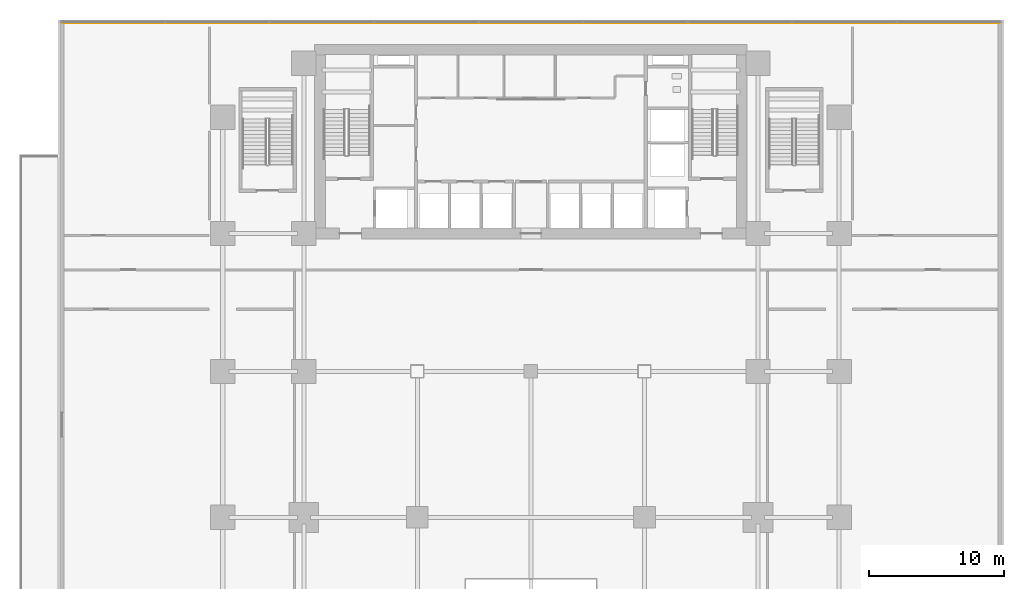
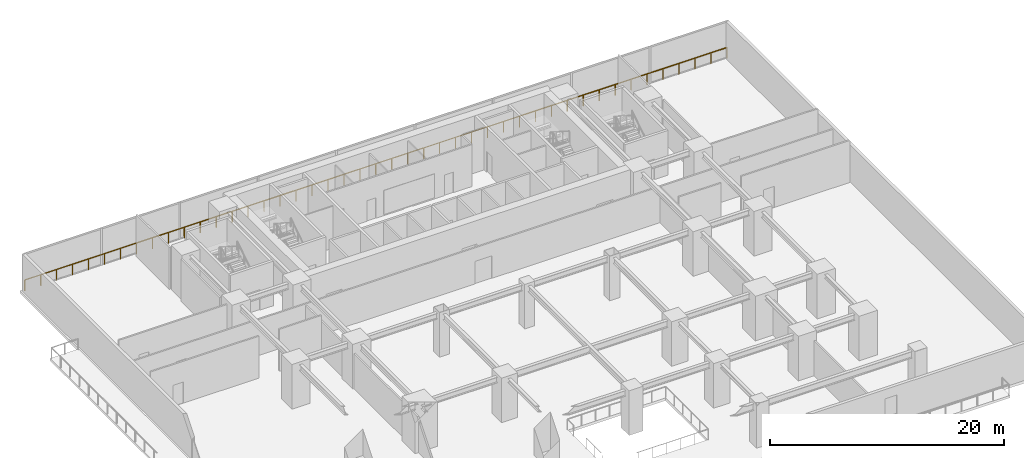
# One storey, part 15 of 17: 1 railing.
"""IFC4 building model written with IfcOpenShell, lengths in metres."""

from ifc_helpers import new_model, si_unit, direction, frame, origin, origin_2d, place, context, subcontext, project, spatial, rectangle, extrude, material, type_object, element, save


model = new_model("IFC4")

# Units and contexts
model_context = context("Model", 3, precision=1e-05, world=origin(), true_north=direction((0.0, 1.0)))
body_context = subcontext(model_context, "Body", "Model", "MODEL_VIEW")
ifc_project = project(units=[si_unit("LENGTHUNIT", "METRE"), si_unit("AREAUNIT", "SQUARE_METRE"), si_unit("VOLUMEUNIT", "CUBIC_METRE"), si_unit("PLANEANGLEUNIT", "RADIAN"), si_unit("MASSUNIT", "GRAM", prefix="KILO")], contexts=[model_context])

# Site, building, storey
site_placement = place(None, origin())
site = spatial("IfcSite", under=ifc_project, at=site_placement, CompositionType="ELEMENT")
building_placement = place(site_placement, origin())
building = spatial("IfcBuilding", under=site, at=building_placement, Name="Sumidabori Civic Tower", CompositionType="ELEMENT")
storey_placement = place(building_placement, frame((0.0, 0.0, 9.64990234375)))
storey = spatial("IfcBuildingStorey", under=building, at=storey_placement, Name="L02", CompositionType="ELEMENT", Elevation=9.64990234375)

# Railing
ifc_material = material(Name="Anodised Bronze Aluminium AW-6063-T6", Category="aluminium")
railing_type = type_object("IfcRailingType", Name="RL-BAL-1150", PredefinedType="BALUSTRADE", material=ifc_material)
railing_placement = place(storey_placement, frame((-34.64990234375, 25.800048828125, 0.0)))
element("IfcRailing", 1, at=railing_placement, inside=storey, type_object=railing_type, Name="Podium North Sill Balustrade L02", PredefinedType="BALUSTRADE", context=body_context, shape_type="SweptSolid", body=[
    extrude(rectangle(XDim=0.048095703125, YDim=0.048095703125, at=origin_2d()), frame((0.0, 0.0, 1.1259765625), z_axis=(1.0, 0.0, 0.0), x_axis=(0.0, 1.0, 0.0)), (0.0, 0.0, 1.0), 69.2998046875),
    extrude(rectangle(XDim=0.0419921875, YDim=0.0419921875, at=origin_2d()), origin(), (0.0, 0.0, 1.0), 1.101806640625),
    extrude(rectangle(XDim=0.0419921875, YDim=0.0419921875, at=origin_2d()), frame((1.574951171875, 0.0, 0.0)), (0.0, 0.0, 1.0), 1.101806640625),
    extrude(rectangle(XDim=0.0419921875, YDim=0.0419921875, at=origin_2d()), frame((3.14990234375, 0.0, 0.0)), (0.0, 0.0, 1.0), 1.101806640625),
    extrude(rectangle(XDim=0.0419921875, YDim=0.0419921875, at=origin_2d()), frame((4.72509765625, 0.0, 0.0)), (0.0, 0.0, 1.0), 1.101806640625),
    extrude(rectangle(XDim=0.0419921875, YDim=0.0419921875, at=origin_2d()), frame((6.300048828125, 0.0, 0.0)), (0.0, 0.0, 1.0), 1.101806640625),
    extrude(rectangle(XDim=0.0419921875, YDim=0.0419921875, at=origin_2d()), frame((7.875, 0.0, 0.0)), (0.0, 0.0, 1.0), 1.101806640625),
    extrude(rectangle(XDim=0.0419921875, YDim=0.0419921875, at=origin_2d()), frame((9.449951171875, 0.0, 0.0)), (0.0, 0.0, 1.0), 1.101806640625),
    extrude(rectangle(XDim=0.0419921875, YDim=0.0419921875, at=origin_2d()), frame((11.02490234375, 0.0, 0.0)), (0.0, 0.0, 1.0), 1.101806640625),
    extrude(rectangle(XDim=0.0419921875, YDim=0.0419921875, at=origin_2d()), frame((12.599853515625, 0.0, 0.0)), (0.0, 0.0, 1.0), 1.101806640625),
    extrude(rectangle(XDim=0.0419921875, YDim=0.0419921875, at=origin_2d()), frame((14.175048828125, 0.0, 0.0)), (0.0, 0.0, 1.0), 1.101806640625),
    extrude(rectangle(XDim=0.0419921875, YDim=0.0419921875, at=origin_2d()), frame((15.75, 0.0, 0.0)), (0.0, 0.0, 1.0), 1.101806640625),
    extrude(rectangle(XDim=0.0419921875, YDim=0.0419921875, at=origin_2d()), frame((17.324951171875, 0.0, 0.0)), (0.0, 0.0, 1.0), 1.101806640625),
    extrude(rectangle(XDim=0.0419921875, YDim=0.0419921875, at=origin_2d()), frame((18.89990234375, 0.0, 0.0)), (0.0, 0.0, 1.0), 1.101806640625),
    extrude(rectangle(XDim=0.0419921875, YDim=0.0419921875, at=origin_2d()), frame((20.474853515625, 0.0, 0.0)), (0.0, 0.0, 1.0), 1.101806640625),
    extrude(rectangle(XDim=0.0419921875, YDim=0.0419921875, at=origin_2d()), frame((22.050048828125, 0.0, 0.0)), (0.0, 0.0, 1.0), 1.101806640625),
    extrude(rectangle(XDim=0.0419921875, YDim=0.0419921875, at=origin_2d()), frame((23.625, 0.0, 0.0)), (0.0, 0.0, 1.0), 1.101806640625),
    extrude(rectangle(XDim=0.0419921875, YDim=0.0419921875, at=origin_2d()), frame((25.199951171875, 0.0, 0.0)), (0.0, 0.0, 1.0), 1.101806640625),
    extrude(rectangle(XDim=0.0419921875, YDim=0.0419921875, at=origin_2d()), frame((26.77490234375, 0.0, 0.0)), (0.0, 0.0, 1.0), 1.101806640625),
    extrude(rectangle(XDim=0.0419921875, YDim=0.0419921875, at=origin_2d()), frame((28.349853515625, 0.0, 0.0)), (0.0, 0.0, 1.0), 1.101806640625),
    extrude(rectangle(XDim=0.0419921875, YDim=0.0419921875, at=origin_2d()), frame((29.9248046875, 0.0, 0.0)), (0.0, 0.0, 1.0), 1.101806640625),
    extrude(rectangle(XDim=0.0419921875, YDim=0.0419921875, at=origin_2d()), frame((31.5, 0.0, 0.0)), (0.0, 0.0, 1.0), 1.101806640625),
    extrude(rectangle(XDim=0.0419921875, YDim=0.0419921875, at=origin_2d()), frame((33.074951171875, 0.0, 0.0)), (0.0, 0.0, 1.0), 1.101806640625),
    extrude(rectangle(XDim=0.0419921875, YDim=0.0419921875, at=origin_2d()), frame((34.64990234375, 0.0, 0.0)), (0.0, 0.0, 1.0), 1.101806640625),
    extrude(rectangle(XDim=0.0419921875, YDim=0.0419921875, at=origin_2d()), frame((36.224853515625, 0.0, 0.0)), (0.0, 0.0, 1.0), 1.101806640625),
    extrude(rectangle(XDim=0.0419921875, YDim=0.0419921875, at=origin_2d()), frame((37.7998046875, 0.0, 0.0)), (0.0, 0.0, 1.0), 1.101806640625),
    extrude(rectangle(XDim=0.0419921875, YDim=0.0419921875, at=origin_2d()), frame((39.375, 0.0, 0.0)), (0.0, 0.0, 1.0), 1.101806640625),
    extrude(rectangle(XDim=0.0419921875, YDim=0.0419921875, at=origin_2d()), frame((40.949951171875, 0.0, 0.0)), (0.0, 0.0, 1.0), 1.101806640625),
    extrude(rectangle(XDim=0.0419921875, YDim=0.0419921875, at=origin_2d()), frame((42.52490234375, 0.0, 0.0)), (0.0, 0.0, 1.0), 1.101806640625),
    extrude(rectangle(XDim=0.0419921875, YDim=0.0419921875, at=origin_2d()), frame((44.099853515625, 0.0, 0.0)), (0.0, 0.0, 1.0), 1.101806640625),
    extrude(rectangle(XDim=0.0419921875, YDim=0.0419921875, at=origin_2d()), frame((45.6748046875, 0.0, 0.0)), (0.0, 0.0, 1.0), 1.101806640625),
    extrude(rectangle(XDim=0.0419921875, YDim=0.0419921875, at=origin_2d()), frame((47.249755859375, 0.0, 0.0)), (0.0, 0.0, 1.0), 1.101806640625),
    extrude(rectangle(XDim=0.0419921875, YDim=0.0419921875, at=origin_2d()), frame((48.824951171875, 0.0, 0.0)), (0.0, 0.0, 1.0), 1.101806640625),
    extrude(rectangle(XDim=0.0419921875, YDim=0.0419921875, at=origin_2d()), frame((50.39990234375, 0.0, 0.0)), (0.0, 0.0, 1.0), 1.101806640625),
    extrude(rectangle(XDim=0.0419921875, YDim=0.0419921875, at=origin_2d()), frame((51.974853515625, 0.0, 0.0)), (0.0, 0.0, 1.0), 1.101806640625),
    extrude(rectangle(XDim=0.0419921875, YDim=0.0419921875, at=origin_2d()), frame((53.5498046875, 0.0, 0.0)), (0.0, 0.0, 1.0), 1.101806640625),
    extrude(rectangle(XDim=0.0419921875, YDim=0.0419921875, at=origin_2d()), frame((55.124755859375, 0.0, 0.0)), (0.0, 0.0, 1.0), 1.101806640625),
    extrude(rectangle(XDim=0.0419921875, YDim=0.0419921875, at=origin_2d()), frame((56.699951171875, 0.0, 0.0)), (0.0, 0.0, 1.0), 1.101806640625),
    extrude(rectangle(XDim=0.0419921875, YDim=0.0419921875, at=origin_2d()), frame((58.27490234375, 0.0, 0.0)), (0.0, 0.0, 1.0), 1.101806640625),
    extrude(rectangle(XDim=0.0419921875, YDim=0.0419921875, at=origin_2d()), frame((59.849853515625, 0.0, 0.0)), (0.0, 0.0, 1.0), 1.101806640625),
    extrude(rectangle(XDim=0.0419921875, YDim=0.0419921875, at=origin_2d()), frame((61.4248046875, 0.0, 0.0)), (0.0, 0.0, 1.0), 1.101806640625),
    extrude(rectangle(XDim=0.0419921875, YDim=0.0419921875, at=origin_2d()), frame((62.999755859375, 0.0, 0.0)), (0.0, 0.0, 1.0), 1.101806640625),
    extrude(rectangle(XDim=0.0419921875, YDim=0.0419921875, at=origin_2d()), frame((64.57470703125, 0.0, 0.0)), (0.0, 0.0, 1.0), 1.101806640625),
    extrude(rectangle(XDim=0.0419921875, YDim=0.0419921875, at=origin_2d()), frame((66.14990234375, 0.0, 0.0)), (0.0, 0.0, 1.0), 1.101806640625),
    extrude(rectangle(XDim=0.0419921875, YDim=0.0419921875, at=origin_2d()), frame((67.724853515625, 0.0, 0.0)), (0.0, 0.0, 1.0), 1.101806640625),
    extrude(rectangle(XDim=0.0419921875, YDim=0.0419921875, at=origin_2d()), frame((69.2998046875, 0.0, 0.0)), (0.0, 0.0, 1.0), 1.101806640625),
])

save(model, "model.ifc")
